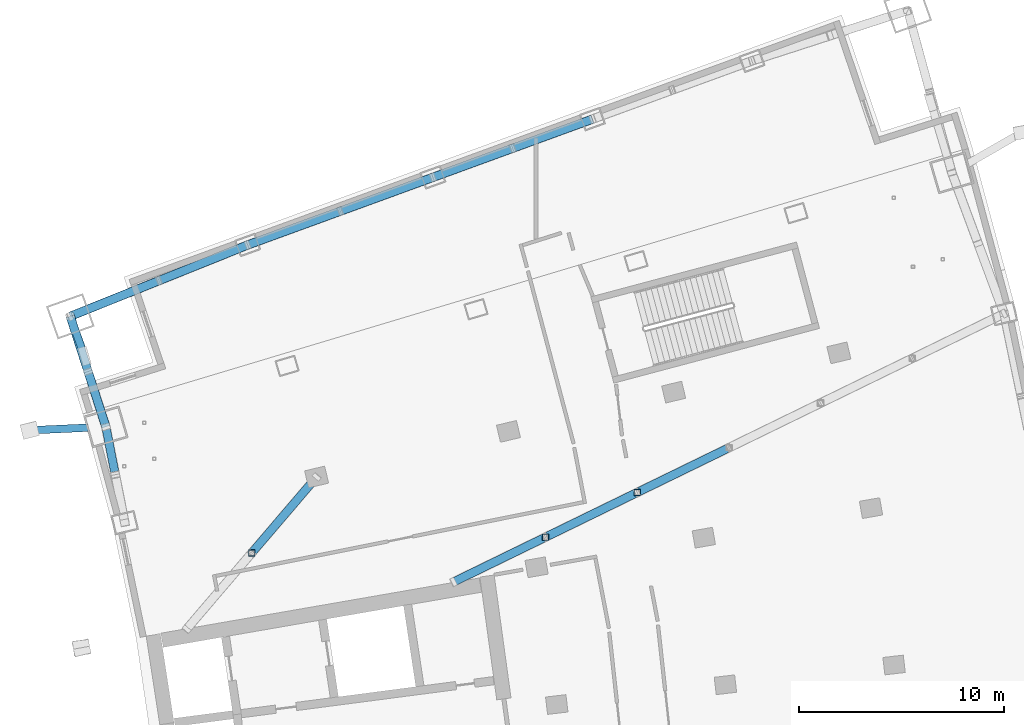
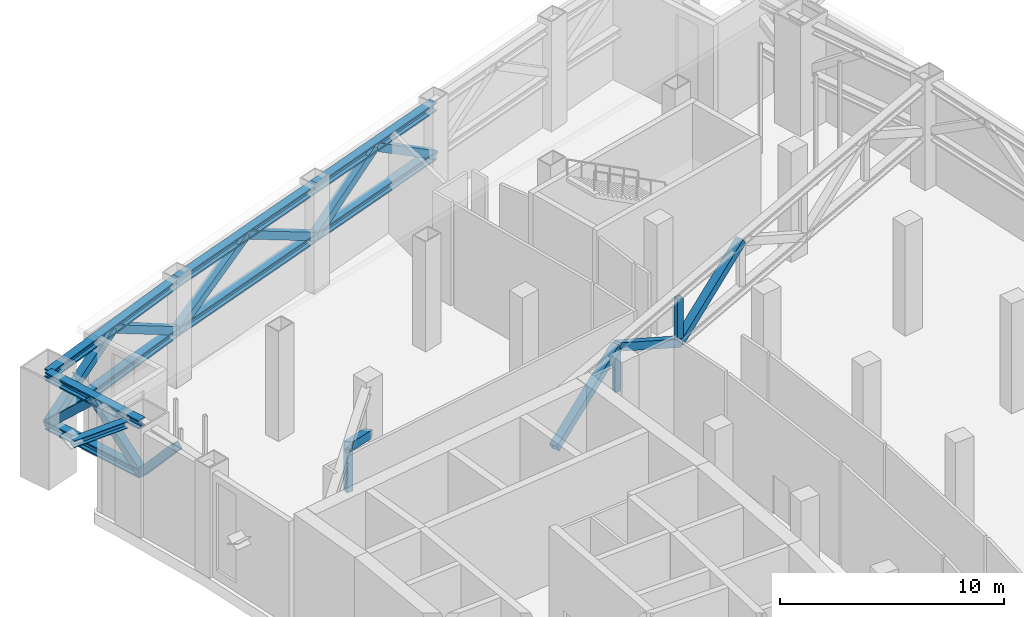
# One storey, part 13 of 26: 26 members.
"""IFC4 building model written with IfcOpenShell, lengths in metres."""

from ifc_helpers import new_model, si_unit, direction, frame, origin, origin_2d, place, context, subcontext, project, spatial, hollow_rectangle, i_section, extrude, material, material_profile, profile_set, type_object, element, save


model = new_model("IFC4")

# Units and contexts
model_context = context("Model", 3, precision=1e-05, world=origin(), true_north=direction((0.0, 1.0)))
body_context = subcontext(model_context, "Body", "Model", "MODEL_VIEW")
ifc_project = project(units=[si_unit("LENGTHUNIT", "METRE"), si_unit("AREAUNIT", "SQUARE_METRE"), si_unit("VOLUMEUNIT", "CUBIC_METRE"), si_unit("PLANEANGLEUNIT", "RADIAN"), si_unit("MASSUNIT", "GRAM", prefix="KILO")], contexts=[model_context])

# Site, building, storey
site_placement = place(None, origin())
site = spatial("IfcSite", under=ifc_project, at=site_placement, CompositionType="ELEMENT")
building_placement = place(site_placement, origin())
building = spatial("IfcBuilding", under=site, at=building_placement, Name="Alderwake Tower", CompositionType="ELEMENT")
storey_placement = place(building_placement, frame((0.0, 0.0, 132.800048828125)))
storey = spatial("IfcBuildingStorey", under=building, at=storey_placement, Name="L32", CompositionType="ELEMENT", Elevation=132.800048828125)

# Members
ifc_material_1 = material(Name="Steel ASTM A992 Grade 50", Category="steel")
ifc_material_profile_1 = material_profile(ifc_material_1, i_section(OverallWidth=0.42138671875, OverallDepth=0.464599609375, WebThickness=0.044921875, FlangeThickness=0.072265625, at=origin_2d()), Name="W14X398")
ifc_profile_set_1 = profile_set([ifc_material_profile_1], Name="Steel ASTM A992 Grade 50")
member_type_1 = type_object("IfcMemberType", Name="Belt truss chord W14X398", PredefinedType="CHORD", material=ifc_profile_set_1)
for number, where, z_axis, x_axis, name in (
    (1, (13.06298828125, 87.99755859375, 5.44775390625), (-0.306491563168, 0.951873374828, 0.0), (-0.951873374828, -0.306491563168, 0.0), "Belt truss chord BT32R12.T"),
    (2, (13.06298828125, 87.99755859375, 2.7822265625), (-0.306491563168, 0.951873374828, 0.0), (-0.951873374828, -0.306491563168, 0.0), "Belt truss chord BT32R12.B"),
):
    element("IfcMember", number, at=place(storey_placement, frame(where, z_axis=z_axis, x_axis=x_axis)), inside=storey, type_object=member_type_1, Name=name, PredefinedType="CHORD", context=body_context, shape_type="SweptSolid", body=[
        extrude(i_section(OverallWidth=0.42138671875, OverallDepth=0.464599609375, WebThickness=0.044921875, FlangeThickness=0.072265625, at=origin_2d()), origin(), (0.0, 0.0, 1.0), 5.651611328125),
    ])
for number, where, z_axis, x_axis, name in (
    (3, (11.330810546875, 93.377197265625, 5.44775390625), (0.927716789108, 0.373284823168, 0.0), (-0.373284823168, 0.927716789108, 0.0), "Belt truss chord BT32E130.T"),
    (4, (11.330810546875, 93.377197265625, 2.7822265625), (0.927716789108, 0.373284823168, 0.0), (-0.373284823168, 0.927716789108, 0.0), "Belt truss chord BT32E130.B"),
):
    element("IfcMember", number, at=place(storey_placement, frame(where, z_axis=z_axis, x_axis=x_axis)), inside=storey, type_object=member_type_1, Name=name, PredefinedType="CHORD", context=body_context, shape_type="SweptSolid", body=[
        extrude(i_section(OverallWidth=0.42138671875, OverallDepth=0.464599609375, WebThickness=0.044921875, FlangeThickness=0.072265625, at=origin_2d()), origin(), (0.0, 0.0, 1.0), 9.3076171875),
    ])
for number, where, z_axis, x_axis, name in (
    (5, (19.965576171875, 96.8515625, 5.44775390625), (0.939376174096, 0.342888325175, 0.0), (-0.342888325175, 0.939376174096, 0.0), "Belt truss chord BT32E131.T"),
    (6, (19.965576171875, 96.8515625, 2.7822265625), (0.939376174096, 0.342888325175, 0.0), (-0.342888325175, 0.939376174096, 0.0), "Belt truss chord BT32E131.B"),
):
    element("IfcMember", number, at=place(storey_placement, frame(where, z_axis=z_axis, x_axis=x_axis)), inside=storey, type_object=member_type_1, Name=name, PredefinedType="CHORD", context=body_context, shape_type="SweptSolid", body=[
        extrude(i_section(OverallWidth=0.42138671875, OverallDepth=0.464599609375, WebThickness=0.044921875, FlangeThickness=0.072265625, at=origin_2d()), origin(), (0.0, 0.0, 1.0), 9.60009765625),
    ])
for number, where, z_axis, x_axis, name in (
    (7, (28.983642578125, 100.143310546875, 5.44775390625), (0.939371061086, 0.342902332441, 0.0), (-0.342902332441, 0.939371061086, 0.0), "Belt truss chord BT32E132.T"),
    (8, (28.983642578125, 100.143310546875, 2.7822265625), (0.939371061086, 0.342902332441, 0.0), (-0.342902332441, 0.939371061086, 0.0), "Belt truss chord BT32E132.B"),
):
    element("IfcMember", number, at=place(storey_placement, frame(where, z_axis=z_axis, x_axis=x_axis)), inside=storey, type_object=member_type_1, Name=name, PredefinedType="CHORD", context=body_context, shape_type="SweptSolid", body=[
        extrude(i_section(OverallWidth=0.42138671875, OverallDepth=0.464599609375, WebThickness=0.044921875, FlangeThickness=0.072265625, at=origin_2d()), origin(), (0.0, 0.0, 1.0), 8.266845703125),
    ])
ifc_material_2 = material(Name="Steel ASTM A500 Grade C", Category="steel")
ifc_material_profile_2 = material_profile(ifc_material_2, hollow_rectangle(XDim=0.406494140625, YDim=0.406494140625, WallThickness=0.014892578125, at=origin_2d()), Name="HSS16X16X5/8")
ifc_profile_set_2 = profile_set([ifc_material_profile_2], Name="Steel ASTM A500 Grade C")
member_type_2 = type_object("IfcMemberType", Name="Belt truss diagonal HSS16X16X5/8", PredefinedType="BRACE", material=ifc_profile_set_2)
member_1_placement = place(storey_placement, frame((13.06298828125, 87.99755859375, 2.7822265625), z_axis=(0.128751234735, -0.652781751467, 0.746524684458), x_axis=(0.981098936551, 0.193506787213, 0.0)))
element("IfcMember", 9, at=member_1_placement, inside=storey, type_object=member_type_2, Name="Belt truss diagonal BT32R11.D2", PredefinedType="BRACE", context=body_context, shape_type="SweptSolid", body=[
    extrude(hollow_rectangle(XDim=0.406494140625, YDim=0.406494140625, WallThickness=0.014892578125, at=origin_2d()), origin(), (0.0, 0.0, 1.0), 3.570556640625),
])
member_2_placement = place(storey_placement, frame((13.06298828125, 87.99755859375, 2.7822265625), z_axis=(-0.222918581213, 0.692449091573, 0.686164383898), x_axis=(-0.951890033581, -0.306439821121, 0.0)))
element("IfcMember", 10, at=member_2_placement, inside=storey, type_object=member_type_2, Name="Belt truss diagonal BT32R12.D1", PredefinedType="BRACE", context=body_context, shape_type="SweptSolid", body=[
    extrude(hollow_rectangle(XDim=0.406494140625, YDim=0.406494140625, WallThickness=0.014892578125, at=origin_2d()), origin(), (0.0, 0.0, 1.0), 3.884765625),
])
member_3_placement = place(storey_placement, frame((11.330810546875, 93.377197265625, 2.7822265625), z_axis=(0.222988007575, -0.692406674028, 0.686184629848), x_axis=(0.951856712334, 0.306543307194, 0.0)))
element("IfcMember", 11, at=member_3_placement, inside=storey, type_object=member_type_2, Name="Belt truss diagonal BT32R12.D2", PredefinedType="BRACE", context=body_context, shape_type="SweptSolid", body=[
    extrude(hollow_rectangle(XDim=0.406494140625, YDim=0.406494140625, WallThickness=0.014892578125, at=origin_2d()), origin(), (0.0, 0.0, 1.0), 3.884521484375),
])
for number, where, z_axis, x_axis, name in (
    (12, (11.330810546875, 93.377197265625, 2.7822265625), (0.805013252818, 0.323935439213, 0.497010557242), (-0.373307398251, 0.927707705266, 0.0), "Belt truss diagonal BT32E130.D1"),
    (13, (19.965576171875, 96.8515625, 2.7822265625), (-0.805025123156, -0.323894693014, 0.497017885921), (0.373262247421, -0.927725872578, 0.0), "Belt truss diagonal BT32E130.D2"),
):
    element("IfcMember", number, at=place(storey_placement, frame(where, z_axis=z_axis, x_axis=x_axis)), inside=storey, type_object=member_type_2, Name=name, PredefinedType="BRACE", context=body_context, shape_type="SweptSolid", body=[
        extrude(hollow_rectangle(XDim=0.406494140625, YDim=0.406494140625, WallThickness=0.014892578125, at=origin_2d()), origin(), (0.0, 0.0, 1.0), 5.363037109375),
    ])
for number, where, z_axis, x_axis, name in (
    (14, (19.965576171875, 96.8515625, 2.7822265625), (0.821240967178, 0.29978919274, 0.485478849946), (-0.342910766039, 0.939367982494, 0.0), "Belt truss diagonal BT32E131.D1"),
    (15, (28.983642578125, 100.143310546875, 2.7822265625), (-0.821251914056, -0.299748722327, 0.485485321223), (0.342865883725, -0.939384365304, 0.0), "Belt truss diagonal BT32E131.D2"),
):
    element("IfcMember", number, at=place(storey_placement, frame(where, z_axis=z_axis, x_axis=x_axis)), inside=storey, type_object=member_type_2, Name=name, PredefinedType="BRACE", context=body_context, shape_type="SweptSolid", body=[
        extrude(hollow_rectangle(XDim=0.406494140625, YDim=0.406494140625, WallThickness=0.014892578125, at=origin_2d()), origin(), (0.0, 0.0, 1.0), 5.490478515625),
    ])
member_4_placement = place(storey_placement, frame((28.983642578125, 100.143310546875, 2.7822265625), z_axis=(0.789448527034, 0.288200336265, 0.541951648526), x_axis=(-0.34292839209, 0.93936154802, 0.0)))
element("IfcMember", 16, at=member_4_placement, inside=storey, type_object=member_type_2, Name="Belt truss diagonal BT32E132.D1", PredefinedType="BRACE", context=body_context, shape_type="SweptSolid", body=[
    extrude(hollow_rectangle(XDim=0.406494140625, YDim=0.406494140625, WallThickness=0.014892578125, at=origin_2d()), origin(), (0.0, 0.0, 1.0), 4.91845703125),
])
member_5_placement = place(storey_placement, frame((36.749267578125, 102.97802734375, 2.7822265625), z_axis=(-0.789459819991, -0.28815481986, 0.541959401073), x_axis=(0.342876271999, -0.939380573623, 0.0)))
element("IfcMember", 17, at=member_5_placement, inside=storey, type_object=member_type_2, Name="Belt truss diagonal BT32E132.D2", PredefinedType="BRACE", context=body_context, shape_type="SweptSolid", body=[
    extrude(hollow_rectangle(XDim=0.406494140625, YDim=0.406494140625, WallThickness=0.014892578125, at=origin_2d()), origin(), (0.0, 0.0, 1.0), 4.918212890625),
])
ifc_material_3 = material(Name="Steel ASTM A992 Grade 50", Category="steel")
ifc_material_profile_3 = material_profile(ifc_material_3, i_section(OverallWidth=0.3740234375, OverallDepth=0.372314453125, WebThickness=0.016357421875, FlangeThickness=0.026123046875, at=origin_2d()), Name="W14X132")
ifc_profile_set_3 = profile_set([ifc_material_profile_3], Name="Steel ASTM A992 Grade 50")
member_type_3 = type_object("IfcMemberType", Name="Brace node stub W14X132", PredefinedType="MEMBER", material=ifc_profile_set_3)
member_6_placement = place(storey_placement, frame((12.188232421875, 87.95751953125, 5.793701171875), z_axis=(-0.998959275169, -0.045611035436, 0.0), x_axis=(0.045611035436, -0.998959275169, 0.0)))
element("IfcMember", 18, at=member_6_placement, inside=storey, type_object=member_type_3, Name="Brace node stub BS.RR12-C0.1388", PredefinedType="MEMBER", context=body_context, shape_type="SweptSolid", body=[
    extrude(i_section(OverallWidth=0.3740234375, OverallDepth=0.372314453125, WebThickness=0.016357421875, FlangeThickness=0.026123046875, at=origin_2d()), origin(), (0.0, 0.0, 1.0), 2.83154296875),
])
member_7_placement = place(storey_placement, frame((11.60400390625, 92.62548828125, 5.34375), z_axis=(0.341288660976, -0.939958536261, 0.0), x_axis=(0.939958536261, 0.341288660976, 0.0)))
element("IfcMember", 19, at=member_7_placement, inside=storey, type_object=member_type_3, Name="Brace node stub BS.NR13-C0.1388", PredefinedType="MEMBER", context=body_context, shape_type="SweptSolid", body=[
    extrude(i_section(OverallWidth=0.3740234375, OverallDepth=0.372314453125, WebThickness=0.016357421875, FlangeThickness=0.026123046875, at=origin_2d()), origin(), (0.0, 0.0, 1.0), 1.251220703125),
])
ifc_material_4 = material(Name="Steel ASTM A500 Grade C", Category="steel")
ifc_material_profile_4 = material_profile(ifc_material_4, hollow_rectangle(XDim=0.406494140625, YDim=0.406494140625, WallThickness=0.014892578125, at=origin_2d()), Name="HSS16X16X5/8")
ifc_profile_set_4 = profile_set([ifc_material_profile_4], Name="Steel ASTM A500 Grade C")
member_type_4 = type_object("IfcMemberType", Name="Outrigger truss diagonal HSS16X16X5/8", PredefinedType="BRACE", material=ifc_profile_set_4)
member_8_placement = place(storey_placement, frame((23.322021484375, 85.555908203125, 2.7822265625), z_axis=(-0.569762917344, -0.666988031973, 0.480101221854), x_axis=(0.760348921589, -0.649514832346, 0.0)))
element("IfcMember", 20, at=member_8_placement, inside=storey, type_object=member_type_4, Name="Outrigger truss diagonal OR32NR.D2", PredefinedType="BRACE", context=body_context, shape_type="SweptSolid", body=[
    extrude(hollow_rectangle(XDim=0.406494140625, YDim=0.406494140625, WallThickness=0.014892578125, at=origin_2d()), origin(), (0.0, 0.0, 1.0), 5.552001953125),
])
for number, where, z_axis, x_axis, name in (
    (21, (29.993896484375, 80.447998046875, 2.7822265625), (0.792098158643, 0.386111588073, 0.472756119612), (-0.438168995666, 0.898892613852, 0.0), "Outrigger truss diagonal OR32NF.D1"),
    (22, (38.92578125, 84.802001953125, 2.7822265625), (-0.792082024847, -0.386124831378, 0.472772334752), (0.43818835049, -0.898883179003, 0.0), "Outrigger truss diagonal OR32NF.D2"),
    (23, (38.92578125, 84.802001953125, 2.7822265625), (0.792111401218, 0.386074741883, 0.472764023315), (-0.438129289996, 0.898911967463, 0.0), "Outrigger truss diagonal OR32NF.D3"),
):
    element("IfcMember", number, at=place(storey_placement, frame(where, z_axis=z_axis, x_axis=x_axis)), inside=storey, type_object=member_type_4, Name=name, PredefinedType="BRACE", context=body_context, shape_type="SweptSolid", body=[
        extrude(hollow_rectangle(XDim=0.406494140625, YDim=0.406494140625, WallThickness=0.014892578125, at=origin_2d()), origin(), (0.0, 0.0, 1.0), 5.63818359375),
    ])
ifc_material_5 = material(Name="Steel ASTM A500 Grade C", Category="steel")
ifc_material_profile_5 = material_profile(ifc_material_5, hollow_rectangle(XDim=0.3046875, YDim=0.3046875, WallThickness=0.01171875, at=origin_2d()), Name="HSS12X12X1/2")
ifc_profile_set_5 = profile_set([ifc_material_profile_5], Name="Steel ASTM A500 Grade C")
member_type_5 = type_object("IfcMemberType", Name="Outrigger truss post HSS12X12X1/2", PredefinedType="POST", material=ifc_profile_set_5)
for number, where, z_axis, x_axis, name in (
    (24, (20.15869140625, 81.852783203125, 3.0146484375), (0.0, 0.0, 1.0), (1.0, 0.0, 0.0), "Outrigger truss post OR32NR.P1"),
    (25, (34.4599609375, 82.625, 3.0146484375), (0.0, 0.0, 1.0), (1.0, 0.0, 0.0), "Outrigger truss post OR32NF.P1"),
    (26, (38.92578125, 84.802001953125, 3.0146484375), (0.0, 0.0, 1.0), (1.0, 0.0, 0.0), "Outrigger truss post OR32NF.P2"),
):
    element("IfcMember", number, at=place(storey_placement, frame(where, z_axis=z_axis, x_axis=x_axis)), inside=storey, type_object=member_type_5, Name=name, PredefinedType="POST", context=body_context, shape_type="SweptSolid", body=[
        extrude(hollow_rectangle(XDim=0.3046875, YDim=0.3046875, WallThickness=0.01171875, at=origin_2d()), origin(), (0.0, 0.0, 1.0), 2.20068359375),
    ])

save(model, "model.ifc")
